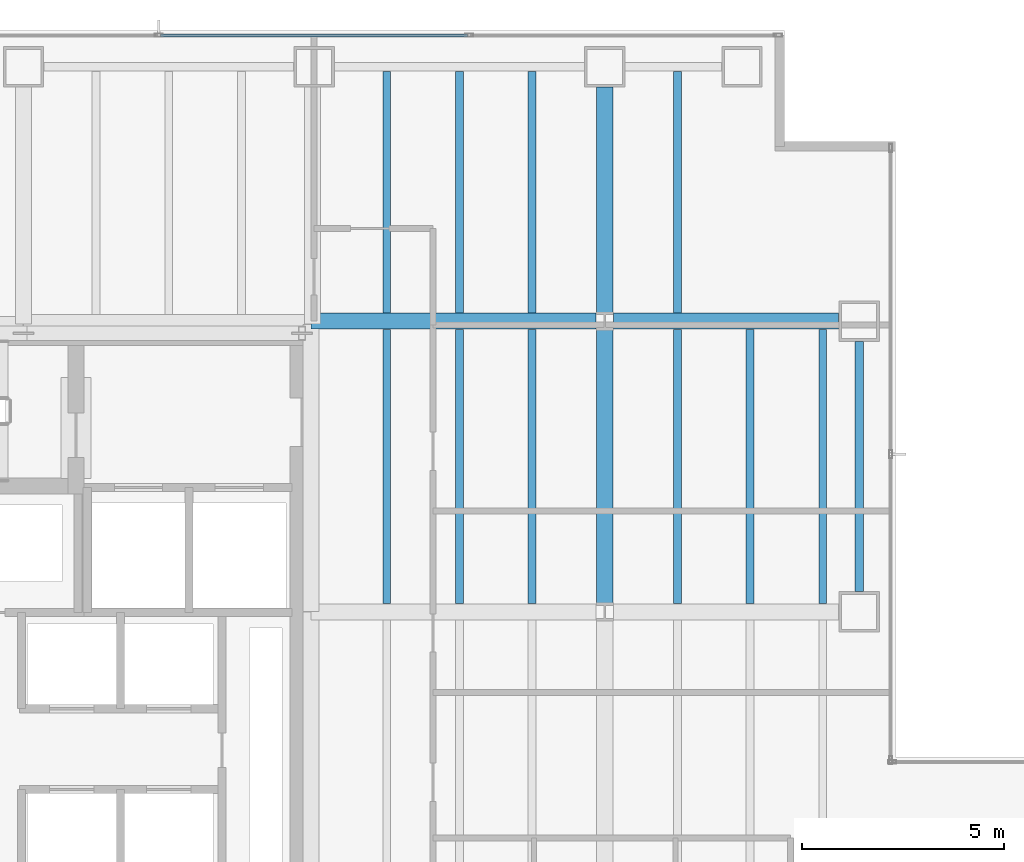
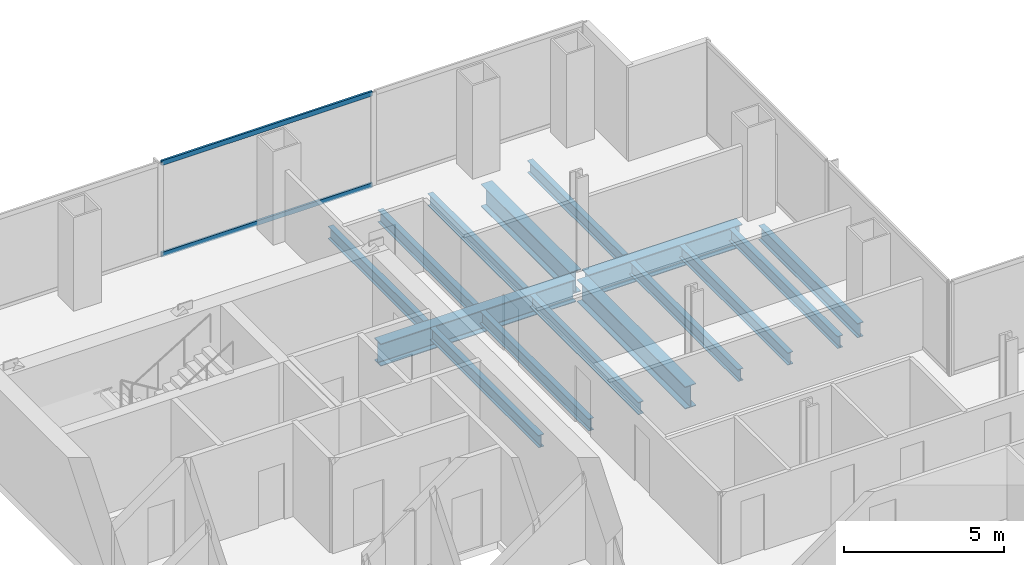
# One storey, part 17 of 24: 15 beams, 2 members, 1 element without a shape of its own.
"""IFC4 building model written with IfcOpenShell, lengths in metres."""

from ifc_helpers import new_model, si_unit, direction, frame, origin, origin_2d, place, context, subcontext, project, spatial, hollow_rectangle, i_section, extrude, material, material_profile, profile_set, type_object, element, aggregate, save


model = new_model("IFC4")

# Units and contexts
model_context = context("Model", 3, precision=1e-05, world=origin(), true_north=direction((0.0, 1.0)))
body_context = subcontext(model_context, "Body", "Model", "MODEL_VIEW")
ifc_project = project(units=[si_unit("LENGTHUNIT", "METRE"), si_unit("AREAUNIT", "SQUARE_METRE"), si_unit("VOLUMEUNIT", "CUBIC_METRE"), si_unit("PLANEANGLEUNIT", "RADIAN"), si_unit("MASSUNIT", "GRAM", prefix="KILO")], contexts=[model_context])

# Site, building, storey
site_placement = place(None, origin())
site = spatial("IfcSite", under=ifc_project, at=site_placement, CompositionType="ELEMENT")
building_placement = place(site_placement, origin())
building = spatial("IfcBuilding", under=site, at=building_placement, Name="Cobrela Telecom Tower", CompositionType="ELEMENT")
storey_placement = place(building_placement, frame((0.0, 0.0, 69.64990234375)))
storey = spatial("IfcBuildingStorey", under=building, at=storey_placement, Name="L17", CompositionType="ELEMENT", Elevation=69.64990234375)

# Beams
ifc_material_1 = material(Name="Steel ASTM A992 Grade 50", Category="steel")
ifc_material_profile_1 = material_profile(ifc_material_1, i_section(OverallWidth=0.39892578125, OverallDepth=0.85595703125, WebThickness=0.018310546875, FlangeThickness=0.029296875, FilletRadius=0.02001953125, at=origin_2d()), Name="W33X201")
ifc_profile_set_1 = profile_set([ifc_material_profile_1], Name="Steel ASTM A992 Grade 50")
beam_type_1 = type_object("IfcBeamType", Name="BM-GIRD-03", PredefinedType="USERDEFINED", material=ifc_profile_set_1)
beam_1_placement = place(storey_placement, frame((14.324951171875, 36.0, -0.7080078125), z_axis=(1.0, 0.0, 0.0), x_axis=(0.0, 1.0, 0.0)))
element("IfcBeam", 1, at=beam_1_placement, inside=storey, type_object=beam_type_1, Name="L17 Primary Girder X27", ObjectType="GIRDER", PredefinedType="USERDEFINED", context=body_context, shape_type="SweptSolid", body=[
    extrude(i_section(OverallWidth=0.39892578125, OverallDepth=0.85595703125, WebThickness=0.018310546875, FlangeThickness=0.029296875, FilletRadius=0.02001953125, at=origin_2d()), origin(), (0.0, 0.0, 1.0), 7.05908203125),
])
beam_2_placement = place(storey_placement, frame((21.81591796875, 36.0, -0.7080078125), z_axis=(1.0, 0.0, 0.0), x_axis=(0.0, 1.0, 0.0)))
element("IfcBeam", 2, at=beam_2_placement, inside=storey, type_object=beam_type_1, Name="L17 Primary Girder X28", ObjectType="GIRDER", PredefinedType="USERDEFINED", context=body_context, shape_type="SweptSolid", body=[
    extrude(i_section(OverallWidth=0.39892578125, OverallDepth=0.85595703125, WebThickness=0.018310546875, FlangeThickness=0.029296875, FilletRadius=0.02001953125, at=origin_2d()), origin(), (0.0, 0.0, 1.0), 5.5791015625),
])
beam_3_placement = place(storey_placement, frame((21.60009765625, 29.01611328125, -0.7080078125), z_axis=(0.0, 1.0, 0.0), x_axis=(-1.0, 0.0, 0.0)))
element("IfcBeam", 3, at=beam_3_placement, inside=storey, type_object=beam_type_1, Name="L17 Primary Girder Y44", ObjectType="GIRDER", PredefinedType="USERDEFINED", context=body_context, shape_type="SweptSolid", body=[
    extrude(i_section(OverallWidth=0.39892578125, OverallDepth=0.85595703125, WebThickness=0.018310546875, FlangeThickness=0.029296875, FilletRadius=0.02001953125, at=origin_2d()), origin(), (0.0, 0.0, 1.0), 6.767822265625),
])
beam_4_placement = place(storey_placement, frame((21.60009765625, 36.216064453125, -0.7080078125), z_axis=(0.0, 1.0, 0.0), x_axis=(-1.0, 0.0, 0.0)))
element("IfcBeam", 4, at=beam_4_placement, inside=storey, type_object=beam_type_1, Name="L17 Primary Girder Y45", ObjectType="GIRDER", PredefinedType="USERDEFINED", context=body_context, shape_type="SweptSolid", body=[
    extrude(i_section(OverallWidth=0.39892578125, OverallDepth=0.85595703125, WebThickness=0.018310546875, FlangeThickness=0.029296875, FilletRadius=0.02001953125, at=origin_2d()), origin(), (0.0, 0.0, 1.0), 5.578857421875),
])
ifc_material_profile_2 = material_profile(ifc_material_1, i_section(OverallWidth=0.193115234375, OverallDepth=0.467041015625, WebThickness=0.011474609375, FlangeThickness=0.01904296875, FilletRadius=0.012939453125, at=origin_2d()), Name="W18X65")
ifc_profile_set_2 = profile_set([ifc_material_profile_2], Name="Steel ASTM A992 Grade 50")
beam_type_2 = type_object("IfcBeamType", Name="BM-JOIST-03", PredefinedType="JOIST", material=ifc_profile_set_2)
beam_5_placement = place(storey_placement, frame((16.199951171875, 29.00439453125, -0.513427734375), z_axis=(0.0, 1.0, 0.0), x_axis=(-1.0, 0.0, 0.0)))
element("IfcBeam", 5, at=beam_5_placement, inside=storey, type_object=beam_type_2, Name="L17 Secondary Composite Floor Beam J11", PredefinedType="JOIST", context=body_context, shape_type="SweptSolid", body=[
    extrude(i_section(OverallWidth=0.193115234375, OverallDepth=0.467041015625, WebThickness=0.011474609375, FlangeThickness=0.01904296875, FilletRadius=0.012939453125, at=origin_2d()), origin(), (0.0, 0.0, 1.0), 6.791015625),
])
beam_6_placement = place(storey_placement, frame((16.199951171875, 36.20458984375, -0.513427734375), z_axis=(0.0, 1.0, 0.0), x_axis=(-1.0, 0.0, 0.0)))
element("IfcBeam", 6, at=beam_6_placement, inside=storey, type_object=beam_type_2, Name="L17 Secondary Composite Floor Beam J12", PredefinedType="JOIST", context=body_context, shape_type="SweptSolid", body=[
    extrude(i_section(OverallWidth=0.193115234375, OverallDepth=0.467041015625, WebThickness=0.011474609375, FlangeThickness=0.01904296875, FilletRadius=0.012939453125, at=origin_2d()), origin(), (0.0, 0.0, 1.0), 5.98388671875),
])
beam_7_placement = place(storey_placement, frame((18.0, 29.00439453125, -0.513427734375), z_axis=(0.0, 1.0, 0.0), x_axis=(-1.0, 0.0, 0.0)))
element("IfcBeam", 7, at=beam_7_placement, inside=storey, type_object=beam_type_2, Name="L17 Secondary Composite Floor Beam J17", PredefinedType="JOIST", context=body_context, shape_type="SweptSolid", body=[
    extrude(i_section(OverallWidth=0.193115234375, OverallDepth=0.467041015625, WebThickness=0.011474609375, FlangeThickness=0.01904296875, FilletRadius=0.012939453125, at=origin_2d()), origin(), (0.0, 0.0, 1.0), 6.791015625),
])
beam_8_placement = place(storey_placement, frame((18.0, 36.20458984375, -0.513427734375), z_axis=(0.0, 1.0, 0.0), x_axis=(-1.0, 0.0, 0.0)))
element("IfcBeam", 8, at=beam_8_placement, inside=storey, type_object=beam_type_2, Name="L17 Secondary Composite Floor Beam J18", PredefinedType="JOIST", context=body_context, shape_type="SweptSolid", body=[
    extrude(i_section(OverallWidth=0.193115234375, OverallDepth=0.467041015625, WebThickness=0.011474609375, FlangeThickness=0.01904296875, FilletRadius=0.012939453125, at=origin_2d()), origin(), (0.0, 0.0, 1.0), 5.98388671875),
])
beam_9_placement = place(storey_placement, frame((19.800048828125, 29.00439453125, -0.513427734375), z_axis=(0.0, 1.0, 0.0), x_axis=(-1.0, 0.0, 0.0)))
element("IfcBeam", 9, at=beam_9_placement, inside=storey, type_object=beam_type_2, Name="L17 Secondary Composite Floor Beam J23", PredefinedType="JOIST", context=body_context, shape_type="SweptSolid", body=[
    extrude(i_section(OverallWidth=0.193115234375, OverallDepth=0.467041015625, WebThickness=0.011474609375, FlangeThickness=0.01904296875, FilletRadius=0.012939453125, at=origin_2d()), origin(), (0.0, 0.0, 1.0), 6.791015625),
])
beam_10_placement = place(storey_placement, frame((19.800048828125, 36.20458984375, -0.513427734375), z_axis=(0.0, 1.0, 0.0), x_axis=(-1.0, 0.0, 0.0)))
element("IfcBeam", 10, at=beam_10_placement, inside=storey, type_object=beam_type_2, Name="L17 Secondary Composite Floor Beam J24", PredefinedType="JOIST", context=body_context, shape_type="SweptSolid", body=[
    extrude(i_section(OverallWidth=0.193115234375, OverallDepth=0.467041015625, WebThickness=0.011474609375, FlangeThickness=0.01904296875, FilletRadius=0.012939453125, at=origin_2d()), origin(), (0.0, 0.0, 1.0), 5.98388671875),
])
beam_11_placement = place(storey_placement, frame((23.39990234375, 29.00439453125, -0.513427734375), z_axis=(0.0, 1.0, 0.0), x_axis=(-1.0, 0.0, 0.0)))
element("IfcBeam", 11, at=beam_11_placement, inside=storey, type_object=beam_type_2, Name="L17 Secondary Composite Floor Beam J29", PredefinedType="JOIST", context=body_context, shape_type="SweptSolid", body=[
    extrude(i_section(OverallWidth=0.193115234375, OverallDepth=0.467041015625, WebThickness=0.011474609375, FlangeThickness=0.01904296875, FilletRadius=0.012939453125, at=origin_2d()), origin(), (0.0, 0.0, 1.0), 6.791015625),
])
beam_12_placement = place(storey_placement, frame((23.39990234375, 36.20458984375, -0.513427734375), z_axis=(0.0, 1.0, 0.0), x_axis=(-1.0, 0.0, 0.0)))
element("IfcBeam", 12, at=beam_12_placement, inside=storey, type_object=beam_type_2, Name="L17 Secondary Composite Floor Beam J30", PredefinedType="JOIST", context=body_context, shape_type="SweptSolid", body=[
    extrude(i_section(OverallWidth=0.193115234375, OverallDepth=0.467041015625, WebThickness=0.011474609375, FlangeThickness=0.01904296875, FilletRadius=0.012939453125, at=origin_2d()), origin(), (0.0, 0.0, 1.0), 5.98388671875),
])
for number, where, z_axis, x_axis, name in (
    (13, (25.199951171875, 29.00439453125, -0.513427734375), (0.0, 1.0, 0.0), (-1.0, 0.0, 0.0), "L17 Secondary Composite Floor Beam J35"),
    (14, (27.0, 29.00439453125, -0.513427734375), (0.0, 1.0, 0.0), (-1.0, 0.0, 0.0), "L17 Secondary Composite Floor Beam J40"),
):
    element("IfcBeam", number, at=place(storey_placement, frame(where, z_axis=z_axis, x_axis=x_axis)), inside=storey, type_object=beam_type_2, Name=name, PredefinedType="JOIST", context=body_context, shape_type="SweptSolid", body=[
        extrude(i_section(OverallWidth=0.193115234375, OverallDepth=0.467041015625, WebThickness=0.011474609375, FlangeThickness=0.01904296875, FilletRadius=0.012939453125, at=origin_2d()), origin(), (0.0, 0.0, 1.0), 6.791015625),
    ])
ifc_material_profile_3 = material_profile(ifc_material_1, i_section(OverallWidth=0.212890625, OverallDepth=0.549072265625, WebThickness=0.0146484375, FlangeThickness=0.023681640625, FilletRadius=0.013916015625, at=origin_2d()), Name="W21X93")
ifc_profile_set_3 = profile_set([ifc_material_profile_3], Name="Steel ASTM A992 Grade 50")
beam_type_3 = type_object("IfcBeamType", Name="BM-SPAND-03", PredefinedType="SPANDREL", material=ifc_profile_set_3)
beam_13_placement = place(storey_placement, frame((27.89990234375, 29.304931640625, -0.554443359375), z_axis=(0.0, 1.0, 0.0), x_axis=(-1.0, 0.0, 0.0)))
element("IfcBeam", 15, at=beam_13_placement, inside=storey, type_object=beam_type_3, Name="L17 Perimeter Spandrel Y46", PredefinedType="SPANDREL", context=body_context, shape_type="SweptSolid", body=[
    extrude(i_section(OverallWidth=0.212890625, OverallDepth=0.549072265625, WebThickness=0.0146484375, FlangeThickness=0.023681640625, FilletRadius=0.013916015625, at=origin_2d()), origin(), (0.0, 0.0, 1.0), 6.190185546875),
])

# Curtain wall, members
ifc_material_2 = material(Name="Anodized Bronze Aluminium 6063-T6", Category="aluminium")
curtain_wall_type = type_object("IfcCurtainWallType", Name="CW-SYS-DATA", PredefinedType="USERDEFINED", material=ifc_material_2)
curtain_wall_placement = place(storey_placement, origin())
curtain_wall = element("IfcCurtainWall", 16, at=curtain_wall_placement, inside=storey, type_object=curtain_wall_type, Name="L17 Unitised Bronze Curtain Wall 07", ObjectType="UNITISED CURTAIN WALL", PredefinedType="USERDEFINED")
ifc_material_profile_4 = material_profile(ifc_material_2, hollow_rectangle(XDim=0.074951171875, YDim=0.179931640625, WallThickness=0.00390625, at=origin_2d()), Name="ALU 75x180x4")
ifc_profile_set_4 = profile_set([ifc_material_profile_4], Name="Anodized Bronze Aluminium 6063-T6")
member_type = type_object("IfcMemberType", Name="CW-SYS-DATA-TRN", PredefinedType="USERDEFINED", material=ifc_profile_set_4)
member_1_placement = place(storey_placement, frame((10.5966796875, 43.080078125, 0.03759765625), z_axis=(1.0, 0.0, 0.0), x_axis=(0.0, 1.0, 0.0)))
member_1 = element("IfcMember", 17, at=member_1_placement, type_object=member_type, Name="CW-DATA transom 2.1", ObjectType="TRANSOM", PredefinedType="USERDEFINED", context=body_context, shape_type="SweptSolid", body=[
    extrude(hollow_rectangle(XDim=0.074951171875, YDim=0.179931640625, WallThickness=0.00390625, at=origin_2d()), origin(), (0.0, 0.0, 1.0), 7.606689453125),
])
member_2_placement = place(storey_placement, frame((10.5966796875, 43.080078125, 3.53271484375), z_axis=(1.0, 0.0, 0.0), x_axis=(0.0, 1.0, 0.0)))
member_2 = element("IfcMember", 18, at=member_2_placement, type_object=member_type, Name="CW-DATA transom 2.2", ObjectType="TRANSOM", PredefinedType="USERDEFINED", context=body_context, shape_type="SweptSolid", body=[
    extrude(hollow_rectangle(XDim=0.074951171875, YDim=0.179931640625, WallThickness=0.00390625, at=origin_2d()), origin(), (0.0, 0.0, 1.0), 7.606689453125),
])
aggregate(curtain_wall, [member_1, member_2])

save(model, "model.ifc")
